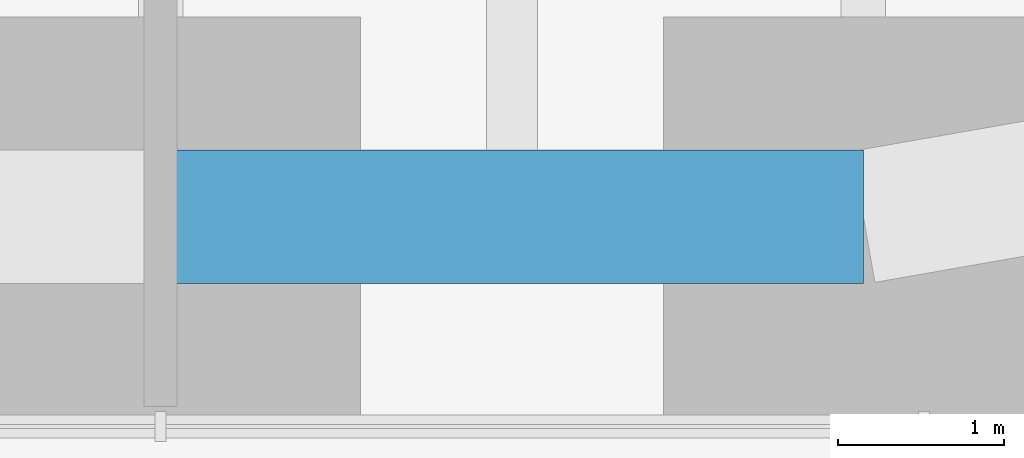
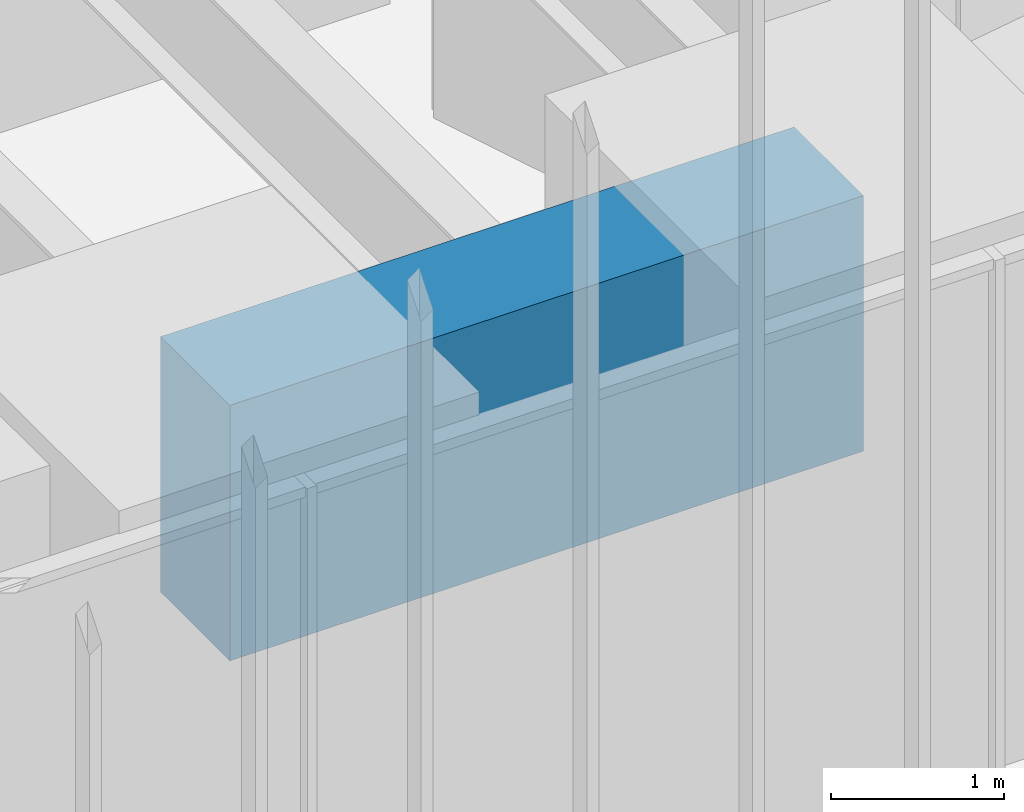
# One storey, part 70 of 256: 1 beam.
"""IFC4 building model written with IfcOpenShell, lengths in metres."""

from ifc_helpers import new_model, si_unit, direction, frame, origin, origin_2d, place, context, subcontext, project, spatial, rectangle, extrude, material, material_profile, profile_set, type_object, element, save


model = new_model("IFC4")

# Units and contexts
model_context = context("Model", 3, precision=1e-05, world=origin(), true_north=direction((0.0, 1.0)))
body_context = subcontext(model_context, "Body", "Model", "MODEL_VIEW")
ifc_project = project(units=[si_unit("LENGTHUNIT", "METRE"), si_unit("AREAUNIT", "SQUARE_METRE"), si_unit("VOLUMEUNIT", "CUBIC_METRE"), si_unit("PLANEANGLEUNIT", "RADIAN"), si_unit("MASSUNIT", "GRAM", prefix="KILO")], contexts=[model_context])

# Site, building, storey
site_placement = place(None, origin())
site = spatial("IfcSite", under=ifc_project, at=site_placement, CompositionType="ELEMENT")
building_placement = place(site_placement, origin())
building = spatial("IfcBuilding", under=site, at=building_placement, Name="Sandreach Pilgrim Tower", CompositionType="ELEMENT")
storey_placement = place(building_placement, frame((0.0, 0.0, 23.0)))
storey = spatial("IfcBuildingStorey", under=building, at=storey_placement, Name="L04", CompositionType="ELEMENT", Elevation=23.0)

# Beam
ifc_material = material(Name="Concrete 10000 psi", Category="concrete")
ifc_material_profile = material_profile(ifc_material, rectangle(XDim=0.800048828125, YDim=1.800048828125, at=origin_2d()), Name="RC800X1800")
ifc_profile_set = profile_set([ifc_material_profile], Name="Concrete 10000 psi")
beam_type = type_object("IfcBeamType", Name="Spandrel beam RC800X1800", PredefinedType="SPANDREL", material=ifc_profile_set)
beam_placement = place(storey_placement, frame((4.222412109375, -28.7509765625, 2.739990234375), z_axis=(-1.0, 0.0, 0.0), x_axis=(0.0, -1.0, 0.0)))
element("IfcBeam", 1, at=beam_placement, inside=storey, type_object=beam_type, Name="BM L04 SP23", PredefinedType="SPANDREL", context=body_context, shape_type="SweptSolid", body=[
    extrude(rectangle(XDim=0.800048828125, YDim=1.800048828125, at=origin_2d()), origin(), (0.0, 0.0, 1.0), 4.222412109375),
])

save(model, "model.ifc")
